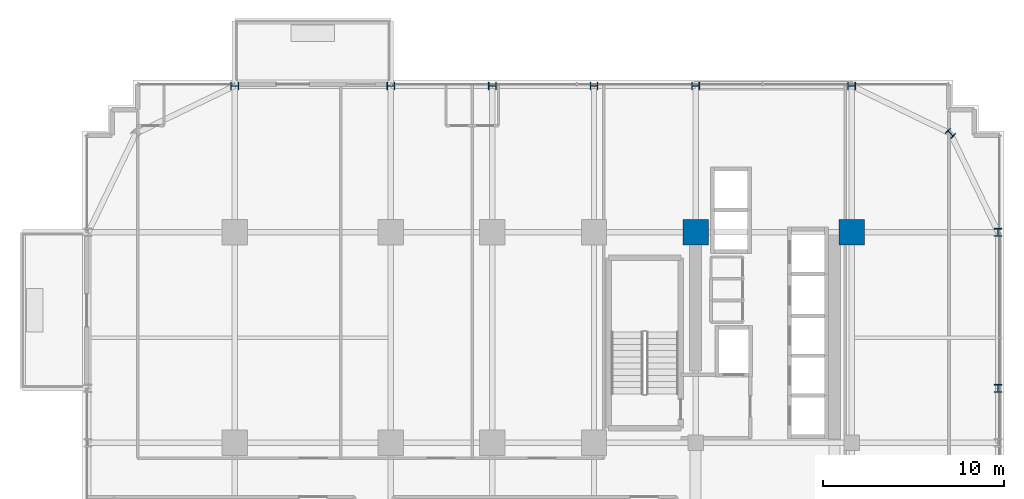
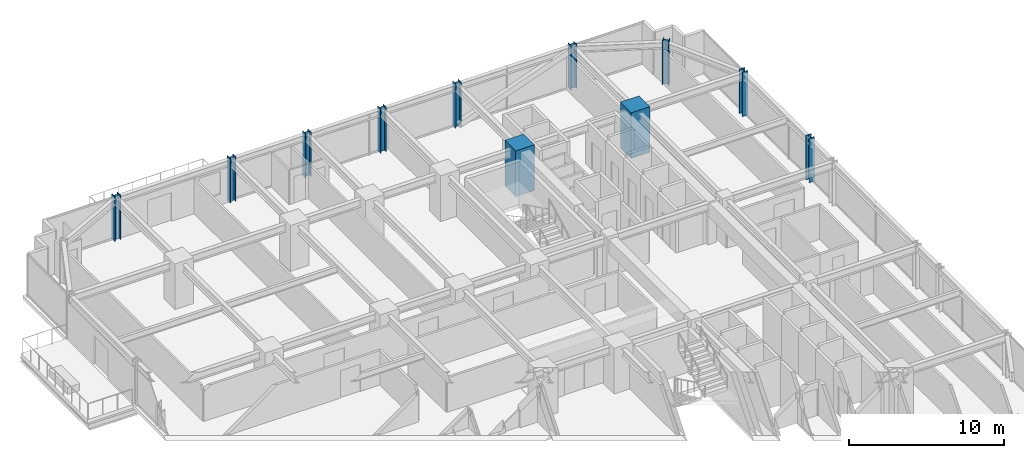
# One storey, part 2 of 36: 11 columns.
"""IFC4 building model written with IfcOpenShell, lengths in metres."""

from ifc_helpers import new_model, si_unit, direction, frame, origin, origin_2d, place, context, subcontext, project, spatial, rectangle, i_section, extrude, source, transform, mapped, material, material_profile, profile_set, type_object, element, save


model = new_model("IFC4")

# Units and contexts
model_context = context("Model", 3, precision=1e-05, world=origin(), true_north=direction((0.0, 1.0)))
body_context = subcontext(model_context, "Body", "Model", "MODEL_VIEW")
ifc_project = project(units=[si_unit("LENGTHUNIT", "METRE"), si_unit("AREAUNIT", "SQUARE_METRE"), si_unit("VOLUMEUNIT", "CUBIC_METRE"), si_unit("PLANEANGLEUNIT", "RADIAN"), si_unit("MASSUNIT", "GRAM", prefix="KILO")], contexts=[model_context])

# Site, building, storey
site_placement = place(None, origin())
site = spatial("IfcSite", under=ifc_project, at=site_placement, CompositionType="ELEMENT")
building_placement = place(site_placement, origin())
building = spatial("IfcBuilding", under=site, at=building_placement, Name="Nahalor Promenade Grand Hotel", CompositionType="ELEMENT")
storey_placement = place(building_placement, frame((0.0, 0.0, 76.199951171875)))
storey = spatial("IfcBuildingStorey", under=building, at=storey_placement, Name="L18", CompositionType="ELEMENT", Elevation=76.199951171875)

# Columns
ifc_material_1 = material(Name="Concrete B-70 (C60/75)", Category="concrete")
ifc_material_profile_1 = material_profile(ifc_material_1, rectangle(XDim=1.4, YDim=1.4, at=origin_2d()), Name="RC 1400x1400")
ifc_profile_set_1 = profile_set([ifc_material_profile_1], Name="Concrete B-70 (C60/75)")
column_type_1 = type_object("IfcColumnType", Name="Col-RC-1400", PredefinedType="COLUMN", material=ifc_profile_set_1)
shared_shape_1 = source(origin(), body_context, "Body", "SweptSolid", [
    extrude(rectangle(XDim=1.4, YDim=1.4, at=origin_2d()), origin(), (0.0, 0.0, 1.0), 3.60498046875),
])
for number, where, z_axis, x_axis, name in (
    (1, (8.39990234375, 17.0, 0.0), (0.0, 0.0, 1.0), (1.0, 0.0, 0.0), "COL-L18-I43"),
    (2, (17.0, 17.0, 0.0), (0.0, 0.0, 1.0), (1.0, 0.0, 0.0), "COL-L18-I53"),
):
    element("IfcColumn", number, at=place(storey_placement, frame(where, z_axis=z_axis, x_axis=x_axis)), inside=storey, type_object=column_type_1, Name=name, PredefinedType="COLUMN", context=body_context, shape_type="MappedRepresentation", body=[
        mapped(shared_shape_1, transform((0.0, 0.0, 0.0), scale=1.0)),
    ])
ifc_material_2 = material(Name="Steel S355J2", Category="steel")
ifc_material_profile_2 = material_profile(ifc_material_2, i_section(OverallWidth=0.412, OverallDepth=0.438, WebThickness=0.0226, FlangeThickness=0.0365, at=origin_2d()), Name="HD 400x463")
ifc_profile_set_2 = profile_set([ifc_material_profile_2], Name="Steel S355J2")
column_type_2 = type_object("IfcColumnType", Name="Col-Steel-HD463", PredefinedType="COLUMN", material=ifc_profile_set_2)
shared_shape_2 = source(origin(), body_context, "Body", "SweptSolid", [
    extrude(i_section(OverallWidth=0.412, OverallDepth=0.438, WebThickness=0.0226, FlangeThickness=0.0365, at=origin_2d()), origin(), (0.0, 0.0, 1.0), 3.505126953125),
])
for number, where, z_axis, x_axis, name in (
    (3, (25.080078125, 8.39990234375, 0.0), (0.0, 0.0, 1.0), (1.0, 0.0, 0.0), "COL-L18-PW-E4"),
    (4, (25.080078125, 17.0, 0.0), (0.0, 0.0, 1.0), (1.0, 0.0, 0.0), "COL-L18-PW-E5"),
    (5, (-17.0, 25.080078125, 0.0), (0.0, 0.0, 1.0), (0.0, 1.0, 0.0), "COL-L18-PN-N0"),
    (6, (-8.39990234375, 25.080078125, 0.0), (0.0, 0.0, 1.0), (0.0, 1.0, 0.0), "COL-L18-PN-N1"),
    (7, (-2.800048828125, 25.080078125, 0.0), (0.0, 0.0, 1.0), (0.0, 1.0, 0.0), "COL-L18-PN-N2"),
    (8, (2.800048828125, 25.080078125, 0.0), (0.0, 0.0, 1.0), (0.0, 1.0, 0.0), "COL-L18-PN-N3"),
    (9, (8.39990234375, 25.080078125, 0.0), (0.0, 0.0, 1.0), (0.0, 1.0, 0.0), "COL-L18-PN-N4"),
    (10, (17.0, 25.080078125, 0.0), (0.0, 0.0, 1.0), (0.0, 1.0, 0.0), "COL-L18-PN-N5"),
    (11, (22.449951171875, 22.449951171875, 0.0), (0.0, 0.0, 1.0), (0.707106781187, 0.707106781187, 0.0), "COL-L18-CRN-NE"),
):
    element("IfcColumn", number, at=place(storey_placement, frame(where, z_axis=z_axis, x_axis=x_axis)), inside=storey, type_object=column_type_2, Name=name, PredefinedType="COLUMN", context=body_context, shape_type="MappedRepresentation", body=[
        mapped(shared_shape_2, transform((0.0, 0.0, 0.0), scale=1.0)),
    ])

save(model, "model.ifc")
